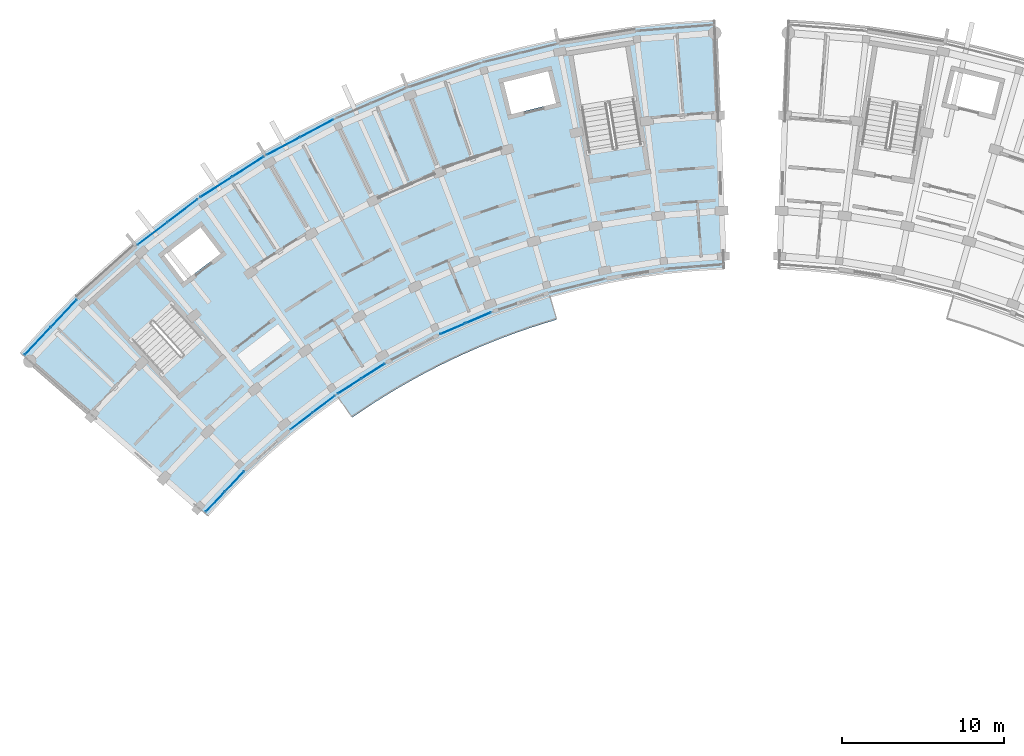
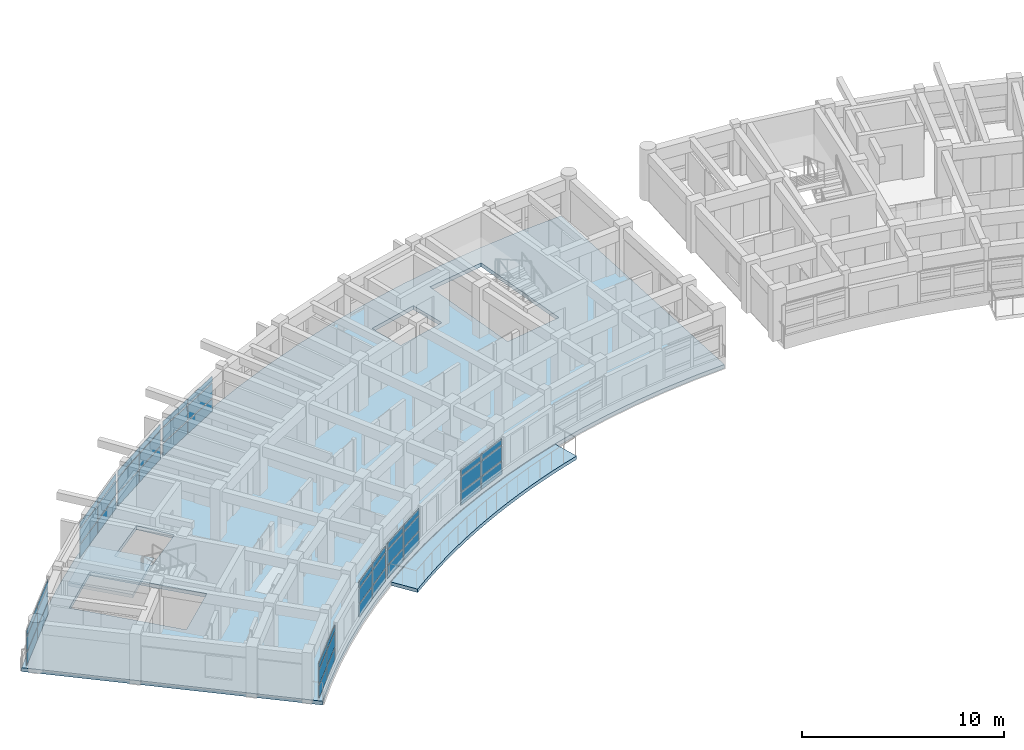
# One storey, part 20 of 56: 48 plates, 3 slabs, 9 elements without a shape of their own.
"""IFC4 building model written with IfcOpenShell, lengths in metres."""

from ifc_helpers import new_model, si_unit, direction, frame, origin, origin_2d, place, context, subcontext, project, spatial, polyline, rectangle, outline, extrude, material, layer, layer_set, type_object, element, aggregate, save


model = new_model("IFC4")

# Units and contexts
model_context = context("Model", 3, precision=1e-05, world=origin(), true_north=direction((0.0, 1.0)))
body_context = subcontext(model_context, "Body", "Model", "MODEL_VIEW")
ifc_project = project(units=[si_unit("LENGTHUNIT", "METRE"), si_unit("AREAUNIT", "SQUARE_METRE"), si_unit("VOLUMEUNIT", "CUBIC_METRE"), si_unit("PLANEANGLEUNIT", "RADIAN"), si_unit("MASSUNIT", "GRAM", prefix="KILO")], contexts=[model_context])

# Site, building, storey
site_placement = place(None, origin())
site = spatial("IfcSite", under=ifc_project, at=site_placement, CompositionType="ELEMENT")
building_placement = place(site_placement, origin())
building = spatial("IfcBuilding", under=site, at=building_placement, Name="Zimvara Arc Housing Community", CompositionType="ELEMENT")
storey_placement = place(building_placement, frame((0.0, 0.0, 17.39990234375)))
storey = spatial("IfcBuildingStorey", under=building, at=storey_placement, Name="L05", CompositionType="ELEMENT", Elevation=17.39990234375)

# Curtain wall, plates
ifc_material_1 = material(Name="Anodised Aluminium AW-6063", Category="aluminium")
curtain_wall_type_1 = type_object("IfcCurtainWallType", Name="CW-SYS-04", PredefinedType="USERDEFINED", material=ifc_material_1)
curtain_wall_1_placement = place(storey_placement, origin())
curtain_wall_1 = element("IfcCurtainWall", 1, at=curtain_wall_1_placement, inside=storey, type_object=curtain_wall_type_1, Name="cw:blkA:L05:in:b0", ObjectType="CURTAIN WALL", PredefinedType="USERDEFINED")
ifc_material_2 = material(Name="Pale-Gold Anodised Aluminium Spandrel Panel", Category="aluminium")
ifc_layer_1 = layer(ifc_material_2, 0.035888671875)
ifc_layer_set_1 = layer_set([ifc_layer_1], Name="Pale-Gold Anodised Aluminium Spandrel Panel")
plate_type_1 = type_object("IfcPlateType", Name="CWP-GLD-36", PredefinedType="CURTAIN_PANEL", material=ifc_layer_set_1)
plate_1_placement = place(storey_placement, frame((11.981689453125, 74.469482421875, 0.065185546875), z_axis=(0.0, 0.0, 1.0), x_axis=(0.686326805658, 0.727293280483, 0.0)))
plate_1 = element("IfcPlate", 2, at=plate_1_placement, type_object=plate_type_1, Name="CW04 panel 1.1", PredefinedType="CURTAIN_PANEL", context=body_context, shape_type="SweptSolid", body=[
    extrude(rectangle(XDim=1.664306640625, YDim=0.035888671875, at=origin_2d()), origin(), (0.0, 0.0, 1.0), 0.75244140625),
])
plate_2_placement = place(storey_placement, frame((11.981689453125, 74.469482421875, 0.8828125), z_axis=(0.0, 0.0, 1.0), x_axis=(0.686326805658, 0.727293280483, 0.0)))
plate_2 = element("IfcPlate", 3, at=plate_2_placement, type_object=plate_type_1, Name="CW04 panel 1.2", PredefinedType="CURTAIN_PANEL", context=body_context, shape_type="SweptSolid", body=[
    extrude(rectangle(XDim=1.664306640625, YDim=0.035888671875, at=origin_2d()), origin(), (0.0, 0.0, 1.0), 0.885009765625),
])
plate_3_placement = place(storey_placement, frame((11.981689453125, 74.469482421875, 1.83251953125), z_axis=(0.0, 0.0, 1.0), x_axis=(0.686326805658, 0.727293280483, 0.0)))
plate_3 = element("IfcPlate", 4, at=plate_3_placement, type_object=plate_type_1, Name="CW04 panel 1.3", PredefinedType="CURTAIN_PANEL", context=body_context, shape_type="SweptSolid", body=[
    extrude(rectangle(XDim=1.664306640625, YDim=0.035888671875, at=origin_2d()), origin(), (0.0, 0.0, 1.0), 0.3525390625),
])
plate_4_placement = place(storey_placement, frame((13.168701171875, 75.727294921875, 0.065185546875), z_axis=(0.0, 0.0, 1.0), x_axis=(0.686326805658, 0.727293280483, 0.0)))
plate_4 = element("IfcPlate", 5, at=plate_4_placement, type_object=plate_type_1, Name="CW04 panel 2.1", PredefinedType="CURTAIN_PANEL", context=body_context, shape_type="SweptSolid", body=[
    extrude(rectangle(XDim=1.664306640625, YDim=0.035888671875, at=origin_2d()), origin(), (0.0, 0.0, 1.0), 0.75244140625),
])
plate_5_placement = place(storey_placement, frame((13.168701171875, 75.727294921875, 0.8828125), z_axis=(0.0, 0.0, 1.0), x_axis=(0.686326805658, 0.727293280483, 0.0)))
plate_5 = element("IfcPlate", 6, at=plate_5_placement, type_object=plate_type_1, Name="CW04 panel 2.2", PredefinedType="CURTAIN_PANEL", context=body_context, shape_type="SweptSolid", body=[
    extrude(rectangle(XDim=1.664306640625, YDim=0.035888671875, at=origin_2d()), origin(), (0.0, 0.0, 1.0), 0.885009765625),
])
plate_6_placement = place(storey_placement, frame((13.168701171875, 75.727294921875, 1.83251953125), z_axis=(0.0, 0.0, 1.0), x_axis=(0.686326805658, 0.727293280483, 0.0)))
plate_6 = element("IfcPlate", 7, at=plate_6_placement, type_object=plate_type_1, Name="CW04 panel 2.3", PredefinedType="CURTAIN_PANEL", context=body_context, shape_type="SweptSolid", body=[
    extrude(rectangle(XDim=1.664306640625, YDim=0.035888671875, at=origin_2d()), origin(), (0.0, 0.0, 1.0), 0.3525390625),
])
aggregate(curtain_wall_1, [plate_1, plate_2, plate_3, plate_4, plate_5, plate_6])

ifc_material_3 = material(Name="Anodised Aluminium AW-6063", Category="aluminium")
curtain_wall_type_2 = type_object("IfcCurtainWallType", Name="CW-SYS-08", PredefinedType="USERDEFINED", material=ifc_material_3)
curtain_wall_2_placement = place(storey_placement, origin())
curtain_wall_2 = element("IfcCurtainWall", 8, at=curtain_wall_2_placement, inside=storey, type_object=curtain_wall_type_2, Name="cw:blkA:L05:in:b3", ObjectType="CURTAIN WALL", PredefinedType="USERDEFINED")
plate_7_placement = place(storey_placement, frame((20.23876953125, 81.58447265625, 0.065185546875), z_axis=(0.0, 0.0, 1.0), x_axis=(0.842264751752, 0.539064085203, 0.0)))
plate_7 = element("IfcPlate", 9, at=plate_7_placement, type_object=plate_type_1, Name="CW08 panel 1.1", PredefinedType="CURTAIN_PANEL", context=body_context, shape_type="SweptSolid", body=[
    extrude(rectangle(XDim=1.664306640625, YDim=0.035888671875, at=origin_2d()), origin(), (0.0, 0.0, 1.0), 0.75244140625),
])
plate_8_placement = place(storey_placement, frame((20.23876953125, 81.58447265625, 0.8828125), z_axis=(0.0, 0.0, 1.0), x_axis=(0.842264751752, 0.539064085203, 0.0)))
plate_8 = element("IfcPlate", 10, at=plate_8_placement, type_object=plate_type_1, Name="CW08 panel 1.2", PredefinedType="CURTAIN_PANEL", context=body_context, shape_type="SweptSolid", body=[
    extrude(rectangle(XDim=1.664306640625, YDim=0.035888671875, at=origin_2d()), origin(), (0.0, 0.0, 1.0), 0.885009765625),
])
plate_9_placement = place(storey_placement, frame((20.23876953125, 81.58447265625, 1.83251953125), z_axis=(0.0, 0.0, 1.0), x_axis=(0.842264751752, 0.539064085203, 0.0)))
plate_9 = element("IfcPlate", 11, at=plate_9_placement, type_object=plate_type_1, Name="CW08 panel 1.3", PredefinedType="CURTAIN_PANEL", context=body_context, shape_type="SweptSolid", body=[
    extrude(rectangle(XDim=1.664306640625, YDim=0.035888671875, at=origin_2d()), origin(), (0.0, 0.0, 1.0), 0.3525390625),
])
plate_10_placement = place(storey_placement, frame((21.6953125, 82.5166015625, 0.065185546875), z_axis=(0.0, 0.0, 1.0), x_axis=(0.842264751752, 0.539064085203, 0.0)))
plate_10 = element("IfcPlate", 12, at=plate_10_placement, type_object=plate_type_1, Name="CW08 panel 2.1", PredefinedType="CURTAIN_PANEL", context=body_context, shape_type="SweptSolid", body=[
    extrude(rectangle(XDim=1.664306640625, YDim=0.035888671875, at=origin_2d()), origin(), (0.0, 0.0, 1.0), 0.75244140625),
])
plate_11_placement = place(storey_placement, frame((21.6953125, 82.5166015625, 0.8828125), z_axis=(0.0, 0.0, 1.0), x_axis=(0.842264751752, 0.539064085203, 0.0)))
plate_11 = element("IfcPlate", 13, at=plate_11_placement, type_object=plate_type_1, Name="CW08 panel 2.2", PredefinedType="CURTAIN_PANEL", context=body_context, shape_type="SweptSolid", body=[
    extrude(rectangle(XDim=1.664306640625, YDim=0.035888671875, at=origin_2d()), origin(), (0.0, 0.0, 1.0), 0.885009765625),
])
plate_12_placement = place(storey_placement, frame((21.6953125, 82.5166015625, 1.83251953125), z_axis=(0.0, 0.0, 1.0), x_axis=(0.842264751752, 0.539064085203, 0.0)))
plate_12 = element("IfcPlate", 14, at=plate_12_placement, type_object=plate_type_1, Name="CW08 panel 2.3", PredefinedType="CURTAIN_PANEL", context=body_context, shape_type="SweptSolid", body=[
    extrude(rectangle(XDim=1.664306640625, YDim=0.035888671875, at=origin_2d()), origin(), (0.0, 0.0, 1.0), 0.3525390625),
])
aggregate(curtain_wall_2, [plate_7, plate_8, plate_9, plate_10, plate_11, plate_12])

ifc_material_4 = material(Name="Anodised Aluminium AW-6063", Category="aluminium")
curtain_wall_type_3 = type_object("IfcCurtainWallType", Name="CW-SYS-05", PredefinedType="USERDEFINED", material=ifc_material_4)
curtain_wall_3_placement = place(storey_placement, origin())
curtain_wall_3 = element("IfcCurtainWall", 15, at=curtain_wall_3_placement, inside=storey, type_object=curtain_wall_type_3, Name="cw:blkA:L05:out:b2", ObjectType="CURTAIN WALL", PredefinedType="USERDEFINED")
ifc_material_5 = material(Name="Solar Control Low-E Double Glazing", Category="glass")
ifc_layer_2 = layer(ifc_material_5, 0.02392578125)
ifc_layer_set_2 = layer_set([ifc_layer_2], Name="Solar Control Low-E Double Glazing")
plate_type_2 = type_object("IfcPlateType", Name="CWP-GLZ-24", PredefinedType="CURTAIN_PANEL", material=ifc_layer_set_2)
plate_13_placement = place(storey_placement, frame((8.118896484375, 90.9892578125, 0.065185546875), z_axis=(0.0, 0.0, 1.0), x_axis=(0.795473999177, 0.60598771987, 0.0)))
plate_13 = element("IfcPlate", 16, at=plate_13_placement, type_object=plate_type_2, Name="CW05 panel 1.1", PredefinedType="CURTAIN_PANEL", context=body_context, shape_type="SweptSolid", body=[
    extrude(rectangle(XDim=2.266845703125, YDim=0.02392578125, at=origin_2d()), origin(), (0.0, 0.0, 1.0), 0.75244140625),
])
plate_14_placement = place(storey_placement, frame((8.118896484375, 90.9892578125, 0.8828125), z_axis=(0.0, 0.0, 1.0), x_axis=(0.795473999177, 0.60598771987, 0.0)))
plate_14 = element("IfcPlate", 17, at=plate_14_placement, type_object=plate_type_2, Name="CW05 panel 1.2", PredefinedType="CURTAIN_PANEL", context=body_context, shape_type="SweptSolid", body=[
    extrude(rectangle(XDim=2.266845703125, YDim=0.02392578125, at=origin_2d()), origin(), (0.0, 0.0, 1.0), 0.885009765625),
])
plate_15_placement = place(storey_placement, frame((8.118896484375, 90.9892578125, 1.83251953125), z_axis=(0.0, 0.0, 1.0), x_axis=(0.795473999177, 0.60598771987, 0.0)))
plate_15 = element("IfcPlate", 18, at=plate_15_placement, type_object=plate_type_2, Name="CW05 panel 1.3", PredefinedType="CURTAIN_PANEL", context=body_context, shape_type="SweptSolid", body=[
    extrude(rectangle(XDim=2.266845703125, YDim=0.02392578125, at=origin_2d()), origin(), (0.0, 0.0, 1.0), 0.3525390625),
])
plate_16_placement = place(storey_placement, frame((9.973876953125, 92.40234375, 0.065185546875), z_axis=(0.0, 0.0, 1.0), x_axis=(0.795473999177, 0.60598771987, 0.0)))
plate_16 = element("IfcPlate", 19, at=plate_16_placement, type_object=plate_type_2, Name="CW05 panel 2.1", PredefinedType="CURTAIN_PANEL", context=body_context, shape_type="SweptSolid", body=[
    extrude(rectangle(XDim=2.266845703125, YDim=0.02392578125, at=origin_2d()), origin(), (0.0, 0.0, 1.0), 0.75244140625),
])
plate_17_placement = place(storey_placement, frame((9.973876953125, 92.40234375, 0.8828125), z_axis=(0.0, 0.0, 1.0), x_axis=(0.795473999177, 0.60598771987, 0.0)))
plate_17 = element("IfcPlate", 20, at=plate_17_placement, type_object=plate_type_2, Name="CW05 panel 2.2", PredefinedType="CURTAIN_PANEL", context=body_context, shape_type="SweptSolid", body=[
    extrude(rectangle(XDim=2.266845703125, YDim=0.02392578125, at=origin_2d()), origin(), (0.0, 0.0, 1.0), 0.885009765625),
])
plate_18_placement = place(storey_placement, frame((9.973876953125, 92.40234375, 1.83251953125), z_axis=(0.0, 0.0, 1.0), x_axis=(0.795473999177, 0.60598771987, 0.0)))
plate_18 = element("IfcPlate", 21, at=plate_18_placement, type_object=plate_type_2, Name="CW05 panel 2.3", PredefinedType="CURTAIN_PANEL", context=body_context, shape_type="SweptSolid", body=[
    extrude(rectangle(XDim=2.266845703125, YDim=0.02392578125, at=origin_2d()), origin(), (0.0, 0.0, 1.0), 0.3525390625),
])
aggregate(curtain_wall_3, [plate_13, plate_14, plate_15, plate_16, plate_17, plate_18])

ifc_material_6 = material(Name="Anodised Aluminium AW-6063", Category="aluminium")
curtain_wall_type_4 = type_object("IfcCurtainWallType", Name="CW-SYS-01", PredefinedType="USERDEFINED", material=ifc_material_6)
curtain_wall_4_placement = place(storey_placement, origin())
curtain_wall_4 = element("IfcCurtainWall", 22, at=curtain_wall_4_placement, inside=storey, type_object=curtain_wall_type_4, Name="cw:blkA:L05:out:b4", ObjectType="CURTAIN WALL", PredefinedType="USERDEFINED")
plate_19_placement = place(storey_placement, frame((16.1708984375, 96.36865234375, 0.065185546875), z_axis=(0.0, 0.0, 1.0), x_axis=(0.883438614651, 0.468546917761, 0.0)))
plate_19 = element("IfcPlate", 23, at=plate_19_placement, type_object=plate_type_2, Name="CW01 panel 1.1", PredefinedType="CURTAIN_PANEL", context=body_context, shape_type="SweptSolid", body=[
    extrude(rectangle(XDim=2.266845703125, YDim=0.02392578125, at=origin_2d()), origin(), (0.0, 0.0, 1.0), 0.75244140625),
])
plate_20_placement = place(storey_placement, frame((16.1708984375, 96.36865234375, 0.8828125), z_axis=(0.0, 0.0, 1.0), x_axis=(0.883438614651, 0.468546917761, 0.0)))
plate_20 = element("IfcPlate", 24, at=plate_20_placement, type_object=plate_type_2, Name="CW01 panel 1.2", PredefinedType="CURTAIN_PANEL", context=body_context, shape_type="SweptSolid", body=[
    extrude(rectangle(XDim=2.266845703125, YDim=0.02392578125, at=origin_2d()), origin(), (0.0, 0.0, 1.0), 0.885009765625),
])
plate_21_placement = place(storey_placement, frame((16.1708984375, 96.36865234375, 1.83251953125), z_axis=(0.0, 0.0, 1.0), x_axis=(0.883438614651, 0.468546917761, 0.0)))
plate_21 = element("IfcPlate", 25, at=plate_21_placement, type_object=plate_type_2, Name="CW01 panel 1.3", PredefinedType="CURTAIN_PANEL", context=body_context, shape_type="SweptSolid", body=[
    extrude(rectangle(XDim=2.266845703125, YDim=0.02392578125, at=origin_2d()), origin(), (0.0, 0.0, 1.0), 0.3525390625),
])
plate_22_placement = place(storey_placement, frame((18.23095703125, 97.461181640625, 0.065185546875), z_axis=(0.0, 0.0, 1.0), x_axis=(0.883438614651, 0.468546917761, 0.0)))
plate_22 = element("IfcPlate", 26, at=plate_22_placement, type_object=plate_type_2, Name="CW01 panel 2.1", PredefinedType="CURTAIN_PANEL", context=body_context, shape_type="SweptSolid", body=[
    extrude(rectangle(XDim=2.266845703125, YDim=0.02392578125, at=origin_2d()), origin(), (0.0, 0.0, 1.0), 0.75244140625),
])
plate_23_placement = place(storey_placement, frame((18.23095703125, 97.461181640625, 0.8828125), z_axis=(0.0, 0.0, 1.0), x_axis=(0.883438614651, 0.468546917761, 0.0)))
plate_23 = element("IfcPlate", 27, at=plate_23_placement, type_object=plate_type_2, Name="CW01 panel 2.2", PredefinedType="CURTAIN_PANEL", context=body_context, shape_type="SweptSolid", body=[
    extrude(rectangle(XDim=2.266845703125, YDim=0.02392578125, at=origin_2d()), origin(), (0.0, 0.0, 1.0), 0.885009765625),
])
plate_24_placement = place(storey_placement, frame((18.23095703125, 97.461181640625, 1.83251953125), z_axis=(0.0, 0.0, 1.0), x_axis=(0.883438614651, 0.468546917761, 0.0)))
plate_24 = element("IfcPlate", 28, at=plate_24_placement, type_object=plate_type_2, Name="CW01 panel 2.3", PredefinedType="CURTAIN_PANEL", context=body_context, shape_type="SweptSolid", body=[
    extrude(rectangle(XDim=2.266845703125, YDim=0.02392578125, at=origin_2d()), origin(), (0.0, 0.0, 1.0), 0.3525390625),
])
aggregate(curtain_wall_4, [plate_19, plate_20, plate_21, plate_22, plate_23, plate_24])

ifc_material_7 = material(Name="Anodised Aluminium AW-6063", Category="aluminium")
curtain_wall_type_5 = type_object("IfcCurtainWallType", Name="CW-SYS-06", PredefinedType="USERDEFINED", material=ifc_material_7)
curtain_wall_5_placement = place(storey_placement, origin())
curtain_wall_5 = element("IfcCurtainWall", 29, at=curtain_wall_5_placement, inside=storey, type_object=curtain_wall_type_5, Name="cw:blkA:L05:in:b2", ObjectType="CURTAIN WALL", PredefinedType="USERDEFINED")
ifc_material_8 = material(Name="Solar Control Low-E Double Glazing", Category="glass")
ifc_layer_3 = layer(ifc_material_8, 0.028076171875)
ifc_layer_set_3 = layer_set([ifc_layer_3], Name="Solar Control Low-E Double Glazing")
plate_type_3 = type_object("IfcPlateType", Name="CWP-GLZ-28", PredefinedType="CURTAIN_PANEL", material=ifc_layer_set_3)
plate_25_placement = place(storey_placement, frame((17.295654296875, 79.4404296875, 0.065185546875), z_axis=(0.0, 0.0, 1.0), x_axis=(0.795473543119, 0.605988318533, 0.0)))
plate_25 = element("IfcPlate", 30, at=plate_25_placement, type_object=plate_type_3, Name="CW06 panel 1.1", PredefinedType="CURTAIN_PANEL", context=body_context, shape_type="SweptSolid", body=[
    extrude(rectangle(XDim=1.664306640625, YDim=0.028076171875, at=origin_2d()), origin(), (0.0, 0.0, 1.0), 0.75244140625),
])
plate_26_placement = place(storey_placement, frame((17.295654296875, 79.4404296875, 0.8828125), z_axis=(0.0, 0.0, 1.0), x_axis=(0.795473543119, 0.605988318533, 0.0)))
plate_26 = element("IfcPlate", 31, at=plate_26_placement, type_object=plate_type_3, Name="CW06 panel 1.2", PredefinedType="CURTAIN_PANEL", context=body_context, shape_type="SweptSolid", body=[
    extrude(rectangle(XDim=1.664306640625, YDim=0.028076171875, at=origin_2d()), origin(), (0.0, 0.0, 1.0), 0.885009765625),
])
plate_27_placement = place(storey_placement, frame((17.295654296875, 79.4404296875, 1.83251953125), z_axis=(0.0, 0.0, 1.0), x_axis=(0.795473543119, 0.605988318533, 0.0)))
plate_27 = element("IfcPlate", 32, at=plate_27_placement, type_object=plate_type_3, Name="CW06 panel 1.3", PredefinedType="CURTAIN_PANEL", context=body_context, shape_type="SweptSolid", body=[
    extrude(rectangle(XDim=1.664306640625, YDim=0.028076171875, at=origin_2d()), origin(), (0.0, 0.0, 1.0), 0.3525390625),
])
plate_28_placement = place(storey_placement, frame((18.671142578125, 80.48828125, 0.065185546875), z_axis=(0.0, 0.0, 1.0), x_axis=(0.795473543119, 0.605988318533, 0.0)))
plate_28 = element("IfcPlate", 33, at=plate_28_placement, type_object=plate_type_3, Name="CW06 panel 2.1", PredefinedType="CURTAIN_PANEL", context=body_context, shape_type="SweptSolid", body=[
    extrude(rectangle(XDim=1.664306640625, YDim=0.028076171875, at=origin_2d()), origin(), (0.0, 0.0, 1.0), 0.75244140625),
])
plate_29_placement = place(storey_placement, frame((18.671142578125, 80.48828125, 0.8828125), z_axis=(0.0, 0.0, 1.0), x_axis=(0.795473543119, 0.605988318533, 0.0)))
plate_29 = element("IfcPlate", 34, at=plate_29_placement, type_object=plate_type_3, Name="CW06 panel 2.2", PredefinedType="CURTAIN_PANEL", context=body_context, shape_type="SweptSolid", body=[
    extrude(rectangle(XDim=1.664306640625, YDim=0.028076171875, at=origin_2d()), origin(), (0.0, 0.0, 1.0), 0.885009765625),
])
plate_30_placement = place(storey_placement, frame((18.671142578125, 80.48828125, 1.83251953125), z_axis=(0.0, 0.0, 1.0), x_axis=(0.795473543119, 0.605988318533, 0.0)))
plate_30 = element("IfcPlate", 35, at=plate_30_placement, type_object=plate_type_3, Name="CW06 panel 2.3", PredefinedType="CURTAIN_PANEL", context=body_context, shape_type="SweptSolid", body=[
    extrude(rectangle(XDim=1.664306640625, YDim=0.028076171875, at=origin_2d()), origin(), (0.0, 0.0, 1.0), 0.3525390625),
])
aggregate(curtain_wall_5, [plate_25, plate_26, plate_27, plate_28, plate_29, plate_30])

ifc_material_9 = material(Name="Anodised Aluminium AW-6063", Category="aluminium")
curtain_wall_type_6 = type_object("IfcCurtainWallType", Name="CW-SYS-03", PredefinedType="USERDEFINED", material=ifc_material_9)
curtain_wall_6_placement = place(storey_placement, origin())
curtain_wall_6 = element("IfcCurtainWall", 36, at=curtain_wall_6_placement, inside=storey, type_object=curtain_wall_type_6, Name="cw:blkA:L05:out:b0", ObjectType="CURTAIN WALL", PredefinedType="USERDEFINED")
ifc_material_10 = material(Name="Acoustic Laminated Solar Glazing", Category="glass")
ifc_layer_4 = layer(ifc_material_10, 0.031982421875)
ifc_layer_set_4 = layer_set([ifc_layer_4], Name="Acoustic Laminated Solar Glazing")
plate_type_4 = type_object("IfcPlateType", Name="CWP-GLZ-32", PredefinedType="CURTAIN_PANEL", material=ifc_layer_set_4)
plate_31_placement = place(storey_placement, frame((1.049072265625, 84.3720703125, 0.065185546875), z_axis=(0.0, 0.0, 1.0), x_axis=(0.686326416495, 0.727293647725, 0.0)))
plate_31 = element("IfcPlate", 37, at=plate_31_placement, type_object=plate_type_4, Name="CW03 panel 1.1", PredefinedType="CURTAIN_PANEL", context=body_context, shape_type="SweptSolid", body=[
    extrude(rectangle(XDim=2.266845703125, YDim=0.031982421875, at=origin_2d()), origin(), (0.0, 0.0, 1.0), 0.75244140625),
])
plate_32_placement = place(storey_placement, frame((1.049072265625, 84.3720703125, 0.8828125), z_axis=(0.0, 0.0, 1.0), x_axis=(0.686326416495, 0.727293647725, 0.0)))
plate_32 = element("IfcPlate", 38, at=plate_32_placement, type_object=plate_type_4, Name="CW03 panel 1.2", PredefinedType="CURTAIN_PANEL", context=body_context, shape_type="SweptSolid", body=[
    extrude(rectangle(XDim=2.266845703125, YDim=0.031982421875, at=origin_2d()), origin(), (0.0, 0.0, 1.0), 0.885009765625),
])
plate_33_placement = place(storey_placement, frame((1.049072265625, 84.3720703125, 1.83251953125), z_axis=(0.0, 0.0, 1.0), x_axis=(0.686326416495, 0.727293647725, 0.0)))
plate_33 = element("IfcPlate", 39, at=plate_33_placement, type_object=plate_type_4, Name="CW03 panel 1.3", PredefinedType="CURTAIN_PANEL", context=body_context, shape_type="SweptSolid", body=[
    extrude(rectangle(XDim=2.266845703125, YDim=0.031982421875, at=origin_2d()), origin(), (0.0, 0.0, 1.0), 0.3525390625),
])
plate_34_placement = place(storey_placement, frame((2.649658203125, 86.068115234375, 0.065185546875), z_axis=(0.0, 0.0, 1.0), x_axis=(0.686326416495, 0.727293647725, 0.0)))
plate_34 = element("IfcPlate", 40, at=plate_34_placement, type_object=plate_type_4, Name="CW03 panel 2.1", PredefinedType="CURTAIN_PANEL", context=body_context, shape_type="SweptSolid", body=[
    extrude(rectangle(XDim=2.266845703125, YDim=0.031982421875, at=origin_2d()), origin(), (0.0, 0.0, 1.0), 0.75244140625),
])
plate_35_placement = place(storey_placement, frame((2.649658203125, 86.068115234375, 0.8828125), z_axis=(0.0, 0.0, 1.0), x_axis=(0.686326416495, 0.727293647725, 0.0)))
plate_35 = element("IfcPlate", 41, at=plate_35_placement, type_object=plate_type_4, Name="CW03 panel 2.2", PredefinedType="CURTAIN_PANEL", context=body_context, shape_type="SweptSolid", body=[
    extrude(rectangle(XDim=2.266845703125, YDim=0.031982421875, at=origin_2d()), origin(), (0.0, 0.0, 1.0), 0.885009765625),
])
plate_36_placement = place(storey_placement, frame((2.649658203125, 86.068115234375, 1.83251953125), z_axis=(0.0, 0.0, 1.0), x_axis=(0.686326416495, 0.727293647725, 0.0)))
plate_36 = element("IfcPlate", 42, at=plate_36_placement, type_object=plate_type_4, Name="CW03 panel 2.3", PredefinedType="CURTAIN_PANEL", context=body_context, shape_type="SweptSolid", body=[
    extrude(rectangle(XDim=2.266845703125, YDim=0.031982421875, at=origin_2d()), origin(), (0.0, 0.0, 1.0), 0.3525390625),
])
aggregate(curtain_wall_6, [plate_31, plate_32, plate_33, plate_34, plate_35, plate_36])

ifc_material_11 = material(Name="Anodised Aluminium AW-6063", Category="aluminium")
curtain_wall_type_7 = type_object("IfcCurtainWallType", Name="CW-SYS-07", PredefinedType="USERDEFINED", material=ifc_material_11)
curtain_wall_7_placement = place(storey_placement, origin())
curtain_wall_7 = element("IfcCurtainWall", 43, at=curtain_wall_7_placement, inside=storey, type_object=curtain_wall_type_7, Name="cw:blkA:L05:out:b3", ObjectType="CURTAIN WALL", PredefinedType="USERDEFINED")
plate_37_placement = place(storey_placement, frame((12.034912109375, 93.843505859375, 0.065185546875), z_axis=(0.0, 0.0, 1.0), x_axis=(0.842264410931, 0.539064617721, 0.0)))
plate_37 = element("IfcPlate", 44, at=plate_37_placement, type_object=plate_type_4, Name="CW07 panel 1.1", PredefinedType="CURTAIN_PANEL", context=body_context, shape_type="SweptSolid", body=[
    extrude(rectangle(XDim=2.266845703125, YDim=0.031982421875, at=origin_2d()), origin(), (0.0, 0.0, 1.0), 0.75244140625),
])
plate_38_placement = place(storey_placement, frame((12.034912109375, 93.843505859375, 0.8828125), z_axis=(0.0, 0.0, 1.0), x_axis=(0.842264410931, 0.539064617721, 0.0)))
plate_38 = element("IfcPlate", 45, at=plate_38_placement, type_object=plate_type_4, Name="CW07 panel 1.2", PredefinedType="CURTAIN_PANEL", context=body_context, shape_type="SweptSolid", body=[
    extrude(rectangle(XDim=2.266845703125, YDim=0.031982421875, at=origin_2d()), origin(), (0.0, 0.0, 1.0), 0.885009765625),
])
plate_39_placement = place(storey_placement, frame((12.034912109375, 93.843505859375, 1.83251953125), z_axis=(0.0, 0.0, 1.0), x_axis=(0.842264410931, 0.539064617721, 0.0)))
plate_39 = element("IfcPlate", 46, at=plate_39_placement, type_object=plate_type_4, Name="CW07 panel 1.3", PredefinedType="CURTAIN_PANEL", context=body_context, shape_type="SweptSolid", body=[
    extrude(rectangle(XDim=2.266845703125, YDim=0.031982421875, at=origin_2d()), origin(), (0.0, 0.0, 1.0), 0.3525390625),
])
plate_40_placement = place(storey_placement, frame((13.9990234375, 95.1005859375, 0.065185546875), z_axis=(0.0, 0.0, 1.0), x_axis=(0.842264410931, 0.539064617721, 0.0)))
plate_40 = element("IfcPlate", 47, at=plate_40_placement, type_object=plate_type_4, Name="CW07 panel 2.1", PredefinedType="CURTAIN_PANEL", context=body_context, shape_type="SweptSolid", body=[
    extrude(rectangle(XDim=2.266845703125, YDim=0.031982421875, at=origin_2d()), origin(), (0.0, 0.0, 1.0), 0.75244140625),
])
plate_41_placement = place(storey_placement, frame((13.9990234375, 95.1005859375, 0.8828125), z_axis=(0.0, 0.0, 1.0), x_axis=(0.842264410931, 0.539064617721, 0.0)))
plate_41 = element("IfcPlate", 48, at=plate_41_placement, type_object=plate_type_4, Name="CW07 panel 2.2", PredefinedType="CURTAIN_PANEL", context=body_context, shape_type="SweptSolid", body=[
    extrude(rectangle(XDim=2.266845703125, YDim=0.031982421875, at=origin_2d()), origin(), (0.0, 0.0, 1.0), 0.885009765625),
])
plate_42_placement = place(storey_placement, frame((13.9990234375, 95.1005859375, 1.83251953125), z_axis=(0.0, 0.0, 1.0), x_axis=(0.842264410931, 0.539064617721, 0.0)))
plate_42 = element("IfcPlate", 49, at=plate_42_placement, type_object=plate_type_4, Name="CW07 panel 2.3", PredefinedType="CURTAIN_PANEL", context=body_context, shape_type="SweptSolid", body=[
    extrude(rectangle(XDim=2.266845703125, YDim=0.031982421875, at=origin_2d()), origin(), (0.0, 0.0, 1.0), 0.3525390625),
])
aggregate(curtain_wall_7, [plate_37, plate_38, plate_39, plate_40, plate_41, plate_42])

curtain_wall_8_placement = place(storey_placement, origin())
curtain_wall_8 = element("IfcCurtainWall", 50, at=curtain_wall_8_placement, inside=storey, type_object=curtain_wall_type_6, Name="cw:blkA:L05:in:b5", ObjectType="CURTAIN WALL", PredefinedType="USERDEFINED")
plate_43_placement = place(storey_placement, frame((26.599609375, 85.11767578125, 0.065185546875), z_axis=(0.0, 0.0, 1.0), x_axis=(0.918722178415, 0.394904493375, 0.0)))
plate_43 = element("IfcPlate", 51, at=plate_43_placement, type_object=plate_type_4, Name="CW03 panel 1.1", PredefinedType="CURTAIN_PANEL", context=body_context, shape_type="SweptSolid", body=[
    extrude(rectangle(XDim=1.664306640625, YDim=0.031982421875, at=origin_2d()), origin(), (0.0, 0.0, 1.0), 0.75244140625),
])
plate_44_placement = place(storey_placement, frame((26.599609375, 85.11767578125, 0.8828125), z_axis=(0.0, 0.0, 1.0), x_axis=(0.918722178415, 0.394904493375, 0.0)))
plate_44 = element("IfcPlate", 52, at=plate_44_placement, type_object=plate_type_4, Name="CW03 panel 1.2", PredefinedType="CURTAIN_PANEL", context=body_context, shape_type="SweptSolid", body=[
    extrude(rectangle(XDim=1.664306640625, YDim=0.031982421875, at=origin_2d()), origin(), (0.0, 0.0, 1.0), 0.885009765625),
])
plate_45_placement = place(storey_placement, frame((26.599609375, 85.11767578125, 1.83251953125), z_axis=(0.0, 0.0, 1.0), x_axis=(0.918722178415, 0.394904493375, 0.0)))
plate_45 = element("IfcPlate", 53, at=plate_45_placement, type_object=plate_type_4, Name="CW03 panel 1.3", PredefinedType="CURTAIN_PANEL", context=body_context, shape_type="SweptSolid", body=[
    extrude(rectangle(XDim=1.664306640625, YDim=0.031982421875, at=origin_2d()), origin(), (0.0, 0.0, 1.0), 0.3525390625),
])
plate_46_placement = place(storey_placement, frame((28.1884765625, 85.80078125, 0.065185546875), z_axis=(0.0, 0.0, 1.0), x_axis=(0.918722178415, 0.394904493375, 0.0)))
plate_46 = element("IfcPlate", 54, at=plate_46_placement, type_object=plate_type_4, Name="CW03 panel 2.1", PredefinedType="CURTAIN_PANEL", context=body_context, shape_type="SweptSolid", body=[
    extrude(rectangle(XDim=1.664306640625, YDim=0.031982421875, at=origin_2d()), origin(), (0.0, 0.0, 1.0), 0.75244140625),
])
plate_47_placement = place(storey_placement, frame((28.1884765625, 85.80078125, 0.8828125), z_axis=(0.0, 0.0, 1.0), x_axis=(0.918722178415, 0.394904493375, 0.0)))
plate_47 = element("IfcPlate", 55, at=plate_47_placement, type_object=plate_type_4, Name="CW03 panel 2.2", PredefinedType="CURTAIN_PANEL", context=body_context, shape_type="SweptSolid", body=[
    extrude(rectangle(XDim=1.664306640625, YDim=0.031982421875, at=origin_2d()), origin(), (0.0, 0.0, 1.0), 0.885009765625),
])
plate_48_placement = place(storey_placement, frame((28.1884765625, 85.80078125, 1.83251953125), z_axis=(0.0, 0.0, 1.0), x_axis=(0.918722178415, 0.394904493375, 0.0)))
plate_48 = element("IfcPlate", 56, at=plate_48_placement, type_object=plate_type_4, Name="CW03 panel 2.3", PredefinedType="CURTAIN_PANEL", context=body_context, shape_type="SweptSolid", body=[
    extrude(rectangle(XDim=1.664306640625, YDim=0.031982421875, at=origin_2d()), origin(), (0.0, 0.0, 1.0), 0.3525390625),
])
aggregate(curtain_wall_8, [plate_43, plate_44, plate_45, plate_46, plate_47, plate_48])

# Stair, slab
ifc_material_12 = material(Name="Concrete C35/45", Category="concrete")
stair_type = type_object("IfcStairType", Name="STR-DL-312-310", PredefinedType="HALF_TURN_STAIR", material=ifc_material_12)
stair_placement = place(storey_placement, origin())
stair = element("IfcStair", 57, at=stair_placement, inside=storey, type_object=stair_type, Name="L05 Block A Exit Stair 1", PredefinedType="HALF_TURN_STAIR")
ifc_material_13 = material(Name="Concrete C35/45", Category="concrete")
ifc_layer_5 = layer(ifc_material_13, 0.199951171875)
ifc_layer_set_5 = layer_set([ifc_layer_5], Name="Concrete C35/45")
slab_type_1 = type_object("IfcSlabType", Name="SLB-STAIR-LND-200", PredefinedType="LANDING", material=ifc_layer_set_5)
slab_1_placement = place(storey_placement, frame((0.0, 0.0, 1.35009765625)))
slab_1 = element("IfcSlab", 58, at=slab_1_placement, type_object=slab_type_1, Name="ST-A1 landing 1", PredefinedType="LANDING", context=body_context, shape_type="SweptSolid", body=[
    extrude(outline(polyline([(9.3486328125, 86.634521484375), (7.09326171875, 89.14111328125), (4.595458984375, 86.8935546875), (6.850830078125, 84.386962890625), (9.3486328125, 86.634521484375)])), origin(), (0.0, 0.0, 1.0), 0.199951171875),
])
aggregate(stair, [slab_1])

# Slabs
ifc_material_14 = material(Name="Concrete C35/45", Category="concrete")
ifc_layer_6 = layer(ifc_material_14, 0.2099609375)
ifc_layer_set_6 = layer_set([ifc_layer_6], Name="Concrete C35/45")
slab_type_2 = type_object("IfcSlabType", Name="SLB-TER-210", PredefinedType="FLOOR", material=ifc_layer_set_6)
slab_2_placement = place(storey_placement, frame((0.0, 0.0, -0.2099609375)))
element("IfcSlab", 59, at=slab_2_placement, inside=storey, type_object=slab_type_2, Name="slab:blkA:L05:bal_in", PredefinedType="FLOOR", context=body_context, shape_type="SweptSolid", body=[
    extrude(outline(polyline([(32.59130859375, 87.099609375), (30.862548828125, 86.557373046875), (29.156982421875, 85.945068359375), (27.47802734375, 85.263671875), (25.828369140625, 84.514404296875), (24.210693359375, 83.6982421875), (22.62744140625, 82.816650390625), (21.081787109375, 81.871337890625), (19.57568359375, 80.863525390625), (20.418212890625, 79.65869140625), (21.14111328125, 80.1533203125), (21.8740234375, 80.633056640625), (22.61669921875, 81.097900390625), (23.36865234375, 81.547119140625), (24.129638671875, 81.981201171875), (24.8994140625, 82.3994140625), (25.677490234375, 82.802001953125), (26.463623046875, 83.188720703125), (27.25732421875, 83.55908203125), (28.05859375, 83.9130859375), (28.866943359375, 84.2509765625), (29.681884765625, 84.572021484375), (30.50341796875, 84.87646484375), (31.330810546875, 85.1640625), (32.1640625, 85.4345703125), (33.00244140625, 85.688232421875), (32.59130859375, 87.099609375)])), origin(), (0.0, 0.0, 1.0), 0.2099609375),
])
ifc_material_15 = material(Name="Concrete C35/45", Category="concrete")
ifc_layer_7 = layer(ifc_material_15, 0.23388671875)
ifc_layer_set_7 = layer_set([ifc_layer_7], Name="Concrete C35/45")
slab_type_3 = type_object("IfcSlabType", Name="SLB-VAR-06", PredefinedType="FLOOR", material=ifc_layer_set_7)
slab_3_placement = place(storey_placement, frame((0.0, 0.0, -0.23388671875)))
element("IfcSlab", 60, at=slab_3_placement, inside=storey, type_object=slab_type_3, Name="slab:blkA:L05:main", PredefinedType="FLOOR", context=body_context, shape_type="SweptSolid", body=[
    extrude(outline(polyline([(11.490966796875, 73.62890625), (12.708251953125, 74.972900390625), (13.979248046875, 76.265869140625), (15.302001953125, 77.506103515625), (16.674560546875, 78.69091796875), (18.093994140625, 79.819091796875), (19.55859375, 80.88818359375), (21.0654296875, 81.896484375), (22.6123046875, 82.842529296875), (24.196533203125, 83.724609375), (25.8154296875, 84.541259765625), (27.46630859375, 85.291259765625), (29.146240234375, 85.97314453125), (30.852783203125, 86.5859375), (32.5830078125, 87.12841796875), (34.333984375, 87.599853515625), (36.1025390625, 87.999267578125), (37.885986328125, 88.326416015625), (39.681396484375, 88.580322265625), (41.485595703125, 88.7607421875), (43.295654296875, 88.8671875), (42.712158203125, 104.05615234375), (40.282470703125, 103.9130859375), (37.860595703125, 103.6708984375), (35.450439453125, 103.330078125), (33.056640625, 102.89111328125), (30.682373046875, 102.354736328125), (28.332275390625, 101.721923828125), (26.009765625, 100.99365234375), (23.718994140625, 100.171142578125), (21.463623046875, 99.255859375), (19.247802734375, 98.249267578125), (17.07470703125, 97.15283203125), (14.947998046875, 95.96875), (12.871826171875, 94.698974609375), (10.848876953125, 93.34521484375), (8.883056640625, 91.91015625), (6.9775390625, 90.39599609375), (5.13525390625, 88.805419921875), (3.359619140625, 87.140869140625), (1.6533203125, 85.405029296875), (0.019287109375, 83.60107421875), (11.490966796875, 73.62890625)]), holes=[polyline([(8.73193359375, 82.356201171875), (4.65185546875, 86.890625), (7.090087890625, 89.08447265625), (11.17041015625, 84.550048828125), (8.73193359375, 82.356201171875)]), polyline([(34.9853515625, 95.960205078125), (34.008056640625, 101.9814453125), (37.24560546875, 102.507080078125), (38.222900390625, 96.48583984375), (34.9853515625, 95.960205078125)]), polyline([(10.05615234375, 88.02685546875), (8.820068359375, 89.649658203125), (11.0791015625, 91.37060546875), (12.3154296875, 89.747802734375), (10.05615234375, 88.02685546875)]), polyline([(30.216796875, 98.324951171875), (29.726806640625, 100.30517578125), (32.483642578125, 100.9873046875), (32.9736328125, 99.007080078125), (30.216796875, 98.324951171875)])]), origin(), (0.0, 0.0, 1.0), 0.23388671875),
])

save(model, "model.ifc")
